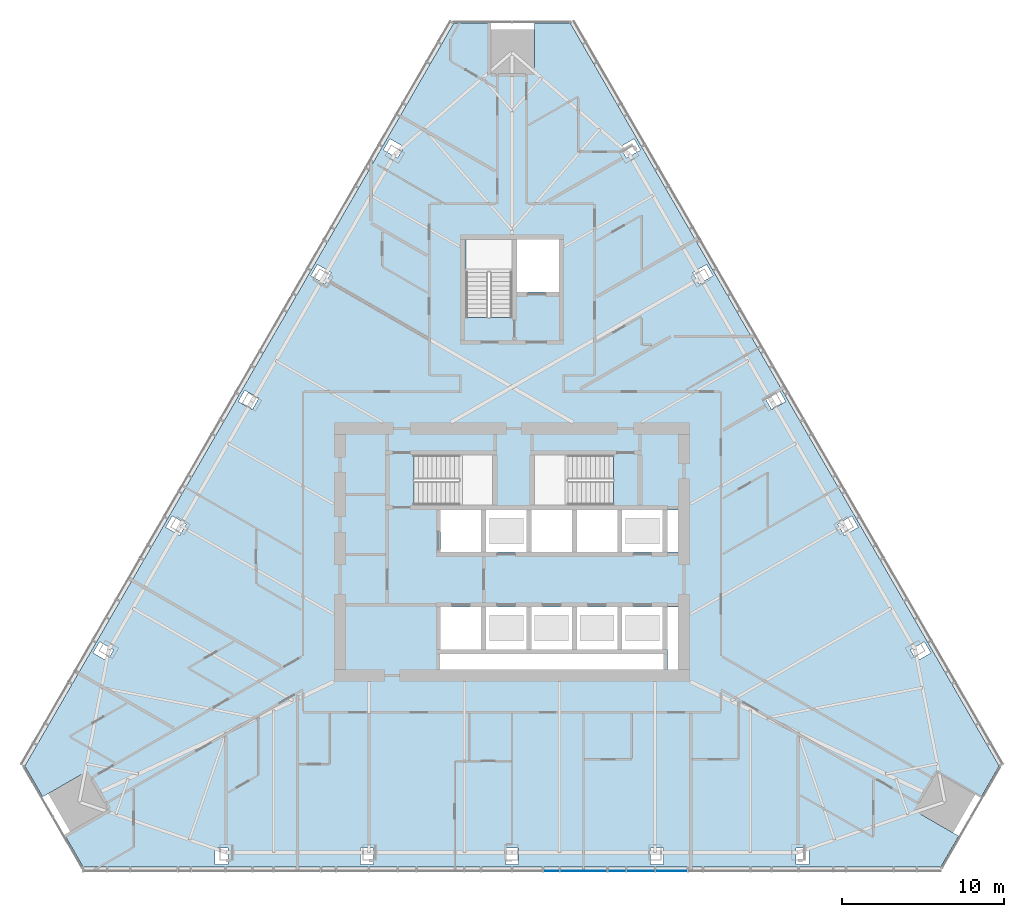
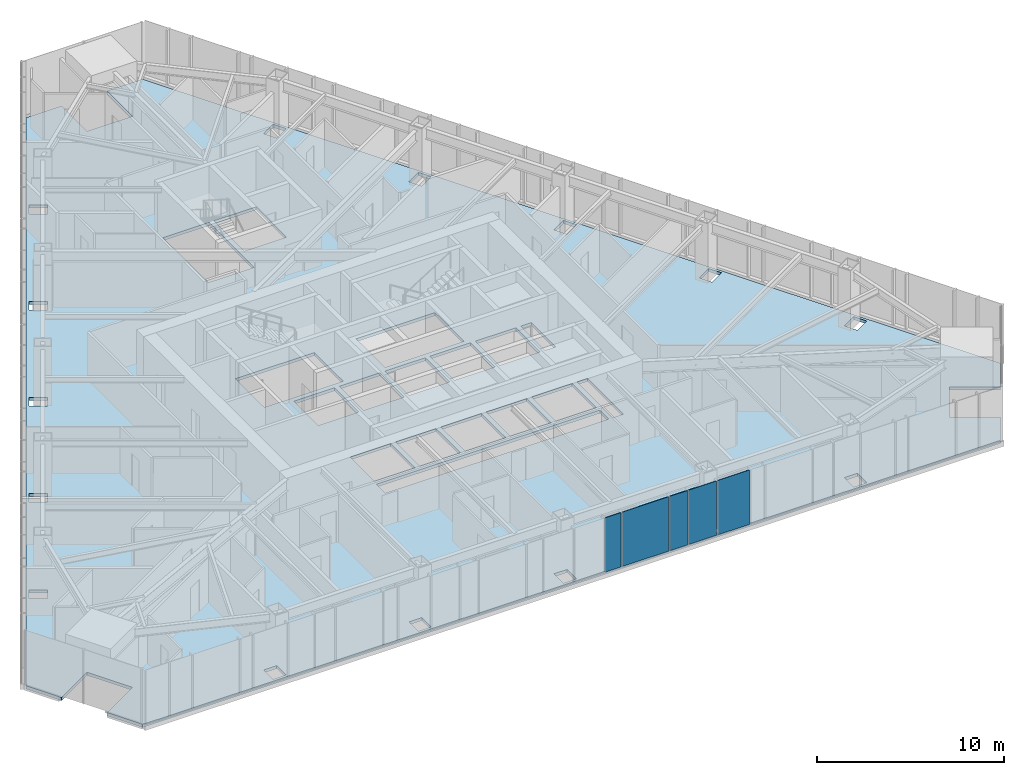
# One storey, part 10 of 19: 5 plates, 1 slab, 1 element without a shape of its own.
"""IFC4 building model written with IfcOpenShell, lengths in metres."""

from ifc_helpers import new_model, si_unit, direction, frame, origin, place, context, subcontext, project, spatial, polyline, outline, extrude, material, layer, layer_set, type_object, element, aggregate, save


model = new_model("IFC4")

# Units and contexts
model_context = context("Model", 3, precision=1e-05, world=origin(), true_north=direction((0.0, 1.0)))
body_context = subcontext(model_context, "Body", "Model", "MODEL_VIEW")
ifc_project = project(units=[si_unit("LENGTHUNIT", "METRE"), si_unit("AREAUNIT", "SQUARE_METRE"), si_unit("VOLUMEUNIT", "CUBIC_METRE"), si_unit("PLANEANGLEUNIT", "RADIAN"), si_unit("MASSUNIT", "GRAM", prefix="KILO")], contexts=[model_context])

# Site, building, storey
site_placement = place(None, origin())
site = spatial("IfcSite", under=ifc_project, at=site_placement, CompositionType="ELEMENT")
building_placement = place(site_placement, origin())
building = spatial("IfcBuilding", under=site, at=building_placement, Name="Firuza Gate Tower and Library", CompositionType="ELEMENT")
storey_placement = place(building_placement, frame((0.0, 0.0, 179.199951171875)))
storey = spatial("IfcBuildingStorey", under=building, at=storey_placement, Name="L41", CompositionType="ELEMENT", Elevation=179.199951171875)

# Slab
ifc_material_1 = material(Name="Concrete C40/50", Category="concrete")
ifc_layer_1 = layer(ifc_material_1, 0.199951171875)
ifc_layer_set_1 = layer_set([ifc_layer_1], Name="Composite floor slab 200 C40/50")
slab_type = type_object("IfcSlabType", Name="Composite floor slab 200 C40/50", PredefinedType="FLOOR", material=ifc_layer_set_1)
slab_placement = place(storey_placement, frame((0.0, 0.0, -0.199951171875)))
element("IfcSlab", 1, at=slab_placement, inside=storey, type_object=slab_type, Name="Floor slab L41", PredefinedType="FLOOR", context=body_context, shape_type="SweptSolid", body=[
    extrude(outline(polyline([(101.4716796875, 55.559814453125), (102.571533203125, 57.465087890625), (100.214599609375, 58.825927734375), (101.614501953125, 61.250732421875), (103.9716796875, 59.889892578125), (105.071533203125, 61.795166015625), (78.60009765625, 107.645263671875), (76.39990234375, 107.645263671875), (76.39990234375, 104.923583984375), (73.60009765625, 104.923583984375), (73.60009765625, 107.645263671875), (71.39990234375, 107.645263671875), (44.928466796875, 61.795166015625), (46.0283203125, 59.889892578125), (48.385498046875, 61.250732421875), (49.785400390625, 58.825927734375), (47.428466796875, 57.465087890625), (48.5283203125, 55.559814453125), (101.4716796875, 55.559814453125)]), holes=[polyline([(56.676025390625, 55.720458984375), (56.676025390625, 56.720458984375), (57.47607421875, 56.720458984375), (57.47607421875, 55.720458984375), (56.676025390625, 55.720458984375)]), polyline([(74.60009765625, 55.720458984375), (74.60009765625, 56.720458984375), (75.39990234375, 56.720458984375), (75.39990234375, 55.720458984375), (74.60009765625, 55.720458984375)]), polyline([(65.63818359375, 55.720458984375), (65.63818359375, 56.720458984375), (66.43798828125, 56.720458984375), (66.43798828125, 55.720458984375), (65.63818359375, 55.720458984375)]), polyline([(84.35009765625, 67.75), (70.550048828125, 67.75), (70.550048828125, 68.699951171875), (84.35009765625, 68.699951171875), (84.35009765625, 67.75)]), polyline([(49.54150390625, 69.463623046875), (50.40771484375, 68.963623046875), (50.007568359375, 68.270751953125), (49.1416015625, 68.770751953125), (49.54150390625, 69.463623046875)]), polyline([(73.10009765625, 69.0), (70.60009765625, 69.0), (70.60009765625, 71.60009765625), (73.10009765625, 71.60009765625), (73.10009765625, 69.0)]), polyline([(75.89990234375, 69.0), (73.39990234375, 69.0), (73.39990234375, 71.60009765625), (75.89990234375, 71.60009765625), (75.89990234375, 69.0)]), polyline([(73.10009765625, 75.0), (70.60009765625, 75.0), (70.60009765625, 77.60009765625), (73.10009765625, 77.60009765625), (73.10009765625, 75.0)]), polyline([(75.89990234375, 75.0), (73.39990234375, 75.0), (73.39990234375, 77.60009765625), (75.89990234375, 77.60009765625), (75.89990234375, 75.0)]), polyline([(54.0224609375, 77.224853515625), (54.888671875, 76.724853515625), (54.488525390625, 76.031982421875), (53.62255859375, 76.531982421875), (54.0224609375, 77.224853515625)]), polyline([(73.81005859375, 77.89990234375), (68.9404296875, 77.89990234375), (68.9404296875, 80.97998046875), (73.81005859375, 80.97998046875), (73.81005859375, 77.89990234375)]), polyline([(58.50341796875, 84.986083984375), (59.36962890625, 84.486083984375), (58.969482421875, 83.793212890625), (58.103515625, 84.293212890625), (58.50341796875, 84.986083984375)]), polyline([(72.159912109375, 89.470458984375), (72.159912109375, 94.300048828125), (75.0, 94.300048828125), (75.0, 89.470458984375), (72.159912109375, 89.470458984375)]), polyline([(62.984375, 92.747314453125), (63.8505859375, 92.247314453125), (63.450439453125, 91.5546875), (62.58447265625, 92.0546875), (62.984375, 92.747314453125)]), polyline([(75.300048828125, 91.050048828125), (75.300048828125, 94.300048828125), (77.89990234375, 94.300048828125), (77.89990234375, 91.050048828125), (75.300048828125, 91.050048828125)]), polyline([(68.33154296875, 100.008544921875), (67.931396484375, 99.31591796875), (67.0654296875, 99.81591796875), (67.46533203125, 100.508544921875), (68.33154296875, 100.008544921875)]), polyline([(92.52392578125, 55.720458984375), (92.52392578125, 56.720458984375), (93.323974609375, 56.720458984375), (93.323974609375, 55.720458984375), (92.52392578125, 55.720458984375)]), polyline([(83.56201171875, 55.720458984375), (83.56201171875, 56.720458984375), (84.36181640625, 56.720458984375), (84.36181640625, 55.720458984375), (83.56201171875, 55.720458984375)]), polyline([(100.8583984375, 68.770751953125), (99.992431640625, 68.270751953125), (99.59228515625, 68.963623046875), (100.45849609375, 69.463623046875), (100.8583984375, 68.770751953125)]), polyline([(85.25, 67.75), (84.60009765625, 67.75), (84.60009765625, 71.60009765625), (85.25, 71.60009765625), (85.25, 67.75)]), polyline([(81.5, 69.0), (79.0, 69.0), (79.0, 71.60009765625), (81.5, 71.60009765625), (81.5, 69.0)]), polyline([(81.800048828125, 69.0), (81.800048828125, 71.60009765625), (84.300048828125, 71.60009765625), (84.300048828125, 69.0), (81.800048828125, 69.0)]), polyline([(76.199951171875, 69.0), (76.199951171875, 71.60009765625), (78.699951171875, 71.60009765625), (78.699951171875, 69.0), (76.199951171875, 69.0)]), polyline([(81.5, 75.0), (79.0, 75.0), (79.0, 77.60009765625), (81.5, 77.60009765625), (81.5, 75.0)]), polyline([(84.300048828125, 75.0), (81.800048828125, 75.0), (81.800048828125, 77.60009765625), (84.300048828125, 77.60009765625), (84.300048828125, 75.0)]), polyline([(85.25, 75.0), (84.60009765625, 75.0), (84.60009765625, 77.60009765625), (85.25, 77.60009765625), (85.25, 75.0)]), polyline([(78.699951171875, 75.0), (76.199951171875, 75.0), (76.199951171875, 77.60009765625), (78.699951171875, 77.60009765625), (78.699951171875, 75.0)]), polyline([(96.37744140625, 76.531982421875), (95.511474609375, 76.031982421875), (95.111328125, 76.724853515625), (95.9775390625, 77.224853515625), (96.37744140625, 76.531982421875)]), polyline([(81.259521484375, 77.89990234375), (76.389892578125, 77.89990234375), (76.389892578125, 80.97998046875), (81.259521484375, 80.97998046875), (81.259521484375, 77.89990234375)]), polyline([(91.896484375, 84.293212890625), (91.030517578125, 83.793212890625), (90.63037109375, 84.486083984375), (91.49658203125, 84.986083984375), (91.896484375, 84.293212890625)]), polyline([(86.549560546875, 91.5546875), (86.1494140625, 92.247314453125), (87.015625, 92.747314453125), (87.41552734375, 92.0546875), (86.549560546875, 91.5546875)]), polyline([(82.068603515625, 99.31591796875), (81.66845703125, 100.008544921875), (82.53466796875, 100.508544921875), (82.9345703125, 99.81591796875), (82.068603515625, 99.31591796875)])]), origin(), (0.0, 0.0, 1.0), 0.199951171875),
])

# Curtain wall, plates
ifc_material_2 = material(Name="Aluminium 6063-T6", Category="aluminium")
ifc_layer_2 = layer(ifc_material_2, 0.14990234375)
ifc_layer_set_2 = layer_set([ifc_layer_2], Name="Unitised curtain wall, hotel")
curtain_wall_type = type_object("IfcCurtainWallType", Name="Unitised curtain wall, hotel", PredefinedType="NOTDEFINED", material=ifc_layer_set_2)
curtain_wall_placement = place(storey_placement, origin())
curtain_wall = element("IfcCurtainWall", 2, at=curtain_wall_placement, inside=storey, type_object=curtain_wall_type, Name="CW2 L41 S face", PredefinedType="NOTDEFINED")
ifc_material_3 = material(Name="Fritted glass", Category="glass")
ifc_layer_3 = layer(ifc_material_3, 0.030029296875)
ifc_layer_set_3 = layer_set([ifc_layer_3], Name="Fritted glass unit, hotel")
plate_type_1 = type_object("IfcPlateType", Name="Fritted glass unit, hotel", PredefinedType="CURTAIN_PANEL", material=ifc_layer_set_3)
plate_1_placement = place(storey_placement, frame((82.09521484375, 55.2998046875, 0.150146484375), z_axis=(0.0, -1.0, 0.0), x_axis=(1.0, 0.0, 0.0)))
plate_1 = element("IfcPlate", 3, at=plate_1_placement, type_object=plate_type_1, Name="Glass unit", PredefinedType="CURTAIN_PANEL", context=body_context, shape_type="SweptSolid", body=[
    extrude(outline(polyline([(0.0, 0.0), (1.703125, 0.0), (1.703125, 3.5498046875), (0.0, 3.5498046875), (0.0, 0.0)])), origin(), (0.0, 0.0, -1.0), 0.030029296875),
])
plate_2_placement = place(storey_placement, frame((83.878173828125, 55.2998046875, 0.150146484375), z_axis=(0.0, -1.0, 0.0), x_axis=(1.0, 0.0, 0.0)))
plate_2 = element("IfcPlate", 4, at=plate_2_placement, type_object=plate_type_1, Name="Glass unit", PredefinedType="CURTAIN_PANEL", context=body_context, shape_type="SweptSolid", body=[
    extrude(outline(polyline([(0.0, 0.0), (1.950439453125, 0.0), (1.950439453125, 3.5498046875), (0.0, 3.5498046875), (0.0, 0.0)])), origin(), (0.0, 0.0, -1.0), 0.030029296875),
])
ifc_material_4 = material(Name="Glazed ceramic tile")
ifc_layer_4 = layer(ifc_material_4, 0.030029296875)
ifc_layer_set_4 = layer_set([ifc_layer_4], Name="Opaque ceramic panel, hotel")
plate_type_2 = type_object("IfcPlateType", Name="Opaque ceramic panel, hotel", PredefinedType="CURTAIN_PANEL", material=ifc_layer_set_4)
plate_3_placement = place(storey_placement, frame((76.94677734375, 55.2998046875, 0.150146484375), z_axis=(0.0, -1.0, 0.0), x_axis=(1.0, 0.0, 0.0)))
plate_3 = element("IfcPlate", 5, at=plate_3_placement, type_object=plate_type_2, Name="Opaque ceramic panel", PredefinedType="CURTAIN_PANEL", context=body_context, shape_type="SweptSolid", body=[
    extrude(outline(polyline([(0.0, 0.0), (0.959228515625, 0.0), (0.959228515625, 3.5498046875), (0.0, 3.5498046875), (0.0, 0.0)])), origin(), (0.0, 0.0, -1.0), 0.030029296875),
])
plate_4_placement = place(storey_placement, frame((77.986083984375, 55.2998046875, 0.150146484375), z_axis=(0.0, -1.0, 0.0), x_axis=(1.0, 0.0, 0.0)))
plate_4 = element("IfcPlate", 6, at=plate_4_placement, type_object=plate_type_2, Name="Opaque ceramic panel", PredefinedType="CURTAIN_PANEL", context=body_context, shape_type="SweptSolid", body=[
    extrude(outline(polyline([(0.0, 0.0), (2.8662109375, 0.0), (2.8662109375, 3.5498046875), (0.0, 3.5498046875), (0.0, 0.0)])), origin(), (0.0, 0.0, -1.0), 0.030029296875),
])
plate_5_placement = place(storey_placement, frame((80.93212890625, 55.2998046875, 0.150146484375), z_axis=(0.0, -1.0, 0.0), x_axis=(1.0, 0.0, 0.0)))
plate_5 = element("IfcPlate", 7, at=plate_5_placement, type_object=plate_type_2, Name="Opaque ceramic panel", PredefinedType="CURTAIN_PANEL", context=body_context, shape_type="SweptSolid", body=[
    extrude(outline(polyline([(0.0, 0.0), (1.0830078125, 0.0), (1.0830078125, 3.5498046875), (0.0, 3.5498046875), (0.0, 0.0)])), origin(), (0.0, 0.0, -1.0), 0.030029296875),
])
aggregate(curtain_wall, [plate_3, plate_4, plate_5, plate_1, plate_2])

save(model, "model.ifc")
